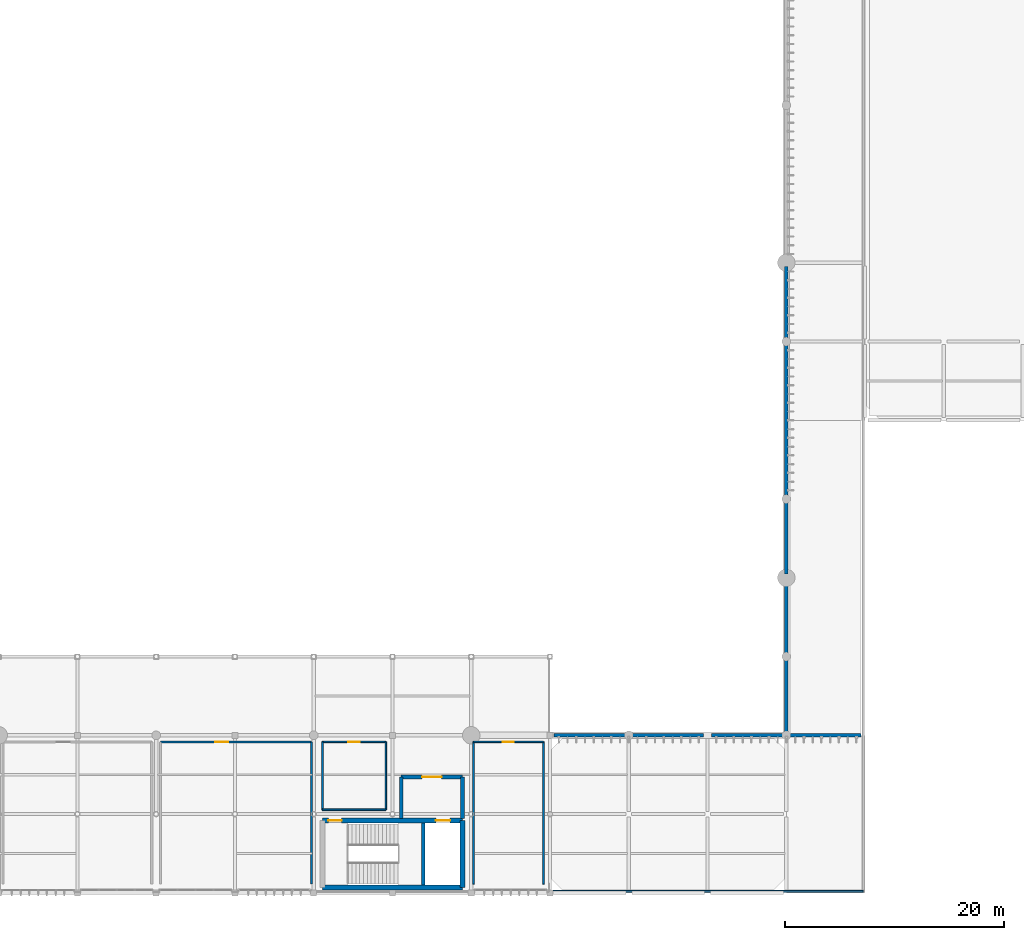
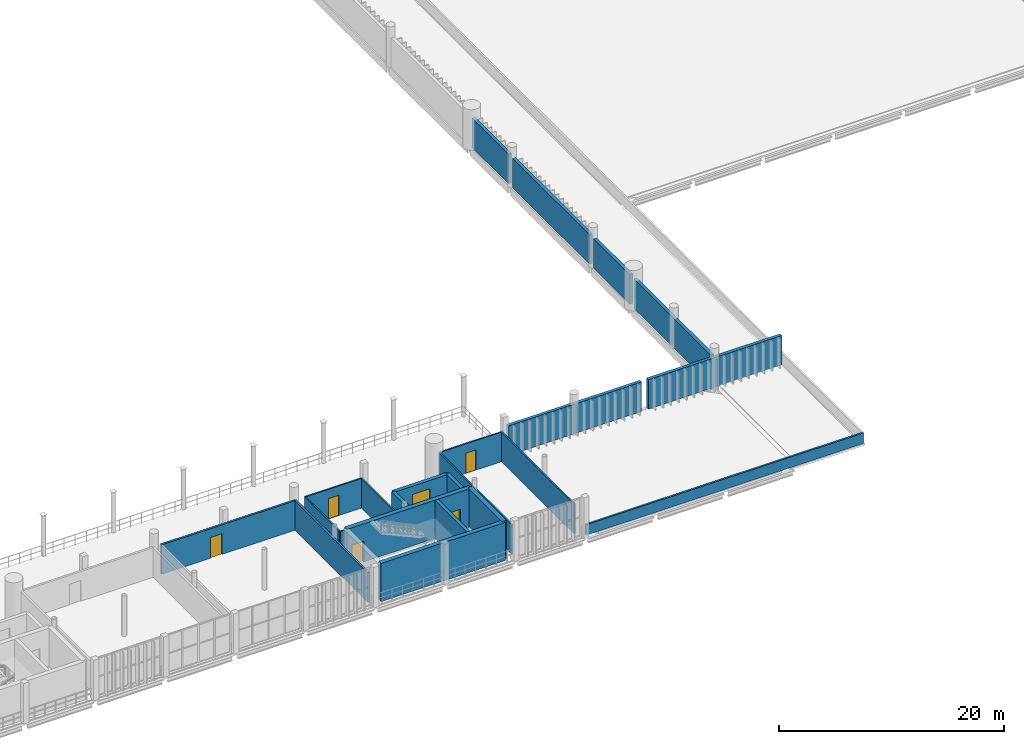
# One storey, part 58 of 81: 23 walls, 6 doors, 6 openings.
"""IFC4 building model written with IfcOpenShell, lengths in metres."""

from ifc_helpers import new_model, si_unit, direction, frame, frame_2d, origin, place, context, subcontext, project, spatial, rectangle, extrude, material, layer, layer_set, type_object, element, fill, save


model = new_model("IFC4")

# Units and contexts
model_context = context("Model", 3, precision=1e-05, world=origin(), true_north=direction((0.0, 1.0)))
body_context = subcontext(model_context, "Body", "Model", "MODEL_VIEW")
ifc_project = project(units=[si_unit("LENGTHUNIT", "METRE"), si_unit("AREAUNIT", "SQUARE_METRE"), si_unit("VOLUMEUNIT", "CUBIC_METRE"), si_unit("PLANEANGLEUNIT", "RADIAN"), si_unit("MASSUNIT", "GRAM", prefix="KILO")], contexts=[model_context])

# Site, building, storey
site_placement = place(None, origin())
site = spatial("IfcSite", under=ifc_project, at=site_placement, CompositionType="ELEMENT")
building_placement = place(site_placement, origin())
building = spatial("IfcBuilding", under=site, at=building_placement, Name="Qandorah Velis Arena", CompositionType="ELEMENT")
storey_placement = place(building_placement, frame((0.0, 0.0, 18.60009765625)))
storey = spatial("IfcBuildingStorey", under=building, at=storey_placement, Name="L04", CompositionType="ELEMENT", Elevation=18.60009765625)

# Walls
ifc_material_1 = material(Name="Precast concrete C40/50", Category="concrete")
ifc_layer_1 = layer(ifc_material_1, 0.320068359375)
ifc_layer_set_1 = layer_set([ifc_layer_1], Name="Precast concrete C40/50")
wall_type_1 = type_object("IfcWallType", Name="ARC-WAL-BOWL320", PredefinedType="SOLIDWALL", material=ifc_layer_set_1)
wall_1_placement = place(storey_placement, frame((115.199951171875, 14.75, 0.0), z_axis=(0.0, 0.0, 1.0), x_axis=(0.0, 1.0, 0.0)))
element("IfcWall", 1, at=wall_1_placement, inside=storey, type_object=wall_type_1, Name="Arena bowl acoustic drum wall 2.1 (L04)", PredefinedType="SOLIDWALL", context=body_context, shape_type="SweptSolid", body=[
    extrude(rectangle(XDim=13.699951171875, YDim=0.320068359375, at=frame_2d((6.85009765625, 0.0))), origin(), (0.0, 0.0, 1.0), 3.2099609375),
])
wall_2_placement = place(storey_placement, frame((115.199951171875, 29.14990234375, 0.0), z_axis=(0.0, 0.0, 1.0), x_axis=(0.0, 1.0, 0.0)))
element("IfcWall", 2, at=wall_2_placement, inside=storey, type_object=wall_type_1, Name="Arena bowl acoustic drum wall 2.2 (L04)", PredefinedType="SOLIDWALL", context=body_context, shape_type="SweptSolid", body=[
    extrude(rectangle(XDim=6.5, YDim=0.320068359375, at=frame_2d((3.25, 0.0))), origin(), (0.0, 0.0, 1.0), 3.2099609375),
])
wall_3_placement = place(storey_placement, frame((115.199951171875, 36.35009765625, 0.0), z_axis=(0.0, 0.0, 1.0), x_axis=(0.0, 1.0, 0.0)))
element("IfcWall", 3, at=wall_3_placement, inside=storey, type_object=wall_type_1, Name="Arena bowl acoustic drum wall 2.3 (L04)", PredefinedType="SOLIDWALL", context=body_context, shape_type="SweptSolid", body=[
    extrude(rectangle(XDim=13.699951171875, YDim=0.320068359375, at=frame_2d((6.85009765625, 0.0))), origin(), (0.0, 0.0, 1.0), 3.2099609375),
])
wall_4_placement = place(storey_placement, frame((115.199951171875, 50.75, 0.0), z_axis=(0.0, 0.0, 1.0), x_axis=(0.0, 1.0, 0.0)))
element("IfcWall", 4, at=wall_4_placement, inside=storey, type_object=wall_type_1, Name="Arena bowl acoustic drum wall 2.4 (L04)", PredefinedType="SOLIDWALL", context=body_context, shape_type="SweptSolid", body=[
    extrude(rectangle(XDim=6.5, YDim=0.320068359375, at=frame_2d((3.25, 0.0))), origin(), (0.0, 0.0, 1.0), 3.2099609375),
])
for number, where, z_axis, x_axis, name in (
    (5, (93.949951171875, 14.39990234375, 0.0), (0.0, 0.0, 1.0), (1.0, 0.0, 0.0), "Arena bowl acoustic drum wall 3.1 (L04)"),
    (6, (108.35009765625, 14.39990234375, 0.0), (0.0, 0.0, 1.0), (1.0, 0.0, 0.0), "Arena bowl acoustic drum wall 3.2 (L04)"),
):
    element("IfcWall", number, at=place(storey_placement, frame(where, z_axis=z_axis, x_axis=x_axis)), inside=storey, type_object=wall_type_1, Name=name, PredefinedType="SOLIDWALL", context=body_context, shape_type="SweptSolid", body=[
        extrude(rectangle(XDim=13.699951171875, YDim=0.320068359375, at=frame_2d((6.85009765625, 0.0))), origin(), (0.0, 0.0, 1.0), 3.2099609375),
    ])
ifc_material_2 = material(Name="Concrete C35/45", Category="concrete")
ifc_layer_2 = layer(ifc_material_2, 0.199951171875)
ifc_layer_set_2 = layer_set([ifc_layer_2], Name="Concrete C35/45")
wall_type_2 = type_object("IfcWallType", Name="ARC-WAL-FD60-200", PredefinedType="PARTITIONING", material=ifc_layer_set_2)
wall_5_placement = place(storey_placement, frame((71.800048828125, 0.800048828125, 0.0), z_axis=(0.0, 0.0, 1.0), x_axis=(0.0, 1.0, 0.0)))
element("IfcWall", 7, at=wall_5_placement, inside=storey, type_object=wall_type_2, Name="Interior partition L04-TV-ST2 (E)", PredefinedType="PARTITIONING", context=body_context, shape_type="SweptSolid", body=[
    extrude(rectangle(XDim=13.0, YDim=0.199951171875, at=frame_2d((6.5, 0.0))), origin(), (0.0, 0.0, 1.0), 3.2099609375),
])

# Wall, opening, door
wall_6_placement = place(storey_placement, frame((71.800048828125, 13.800048828125, 0.0), z_axis=(0.0, 0.0, 1.0), x_axis=(-1.0, 0.0, 0.0)))
wall_6 = element("IfcWall", 8, at=wall_6_placement, inside=storey, type_object=wall_type_2, Name="Interior partition L04-TV-ST2 (N)", PredefinedType="PARTITIONING", context=body_context, shape_type="SweptSolid", body=[
    extrude(rectangle(XDim=13.800048828125, YDim=0.199951171875, at=frame_2d((6.89990234375, 0.0))), origin(), (0.0, 0.0, 1.0), 3.2099609375),
])
opening_1_placement = place(wall_6_placement, frame((7.60009765625, 0.0, 0.0)))
opening_1 = element("IfcOpeningElement", 9, at=opening_1_placement, cuts=wall_6, Name="Opening FD2", PredefinedType="OPENING", context=body_context, shape_type="SweptSolid", body=[
    extrude(rectangle(XDim=1.199951171875, YDim=2.25, at=frame_2d((0.60009765625, 1.125))), frame((0.0, 0.10986328125, 0.0), z_axis=(0.0, -1.0, 0.0), x_axis=(1.0, 0.0, 0.0)), (0.0, 0.0, 1.0), 0.219970703125),
])
ifc_material_3 = material(Name="Insulated fire-rated single steel door", Category="steel")
door_type_1 = type_object("IfcDoorType", Name="ARC-DR-FD1200", OperationType="NOTDEFINED", PredefinedType="DOOR", material=ifc_material_3)
door_1_placement = place(opening_1_placement, frame((1.199951171875, 0.0, 0.0), z_axis=(0.0, 0.0, 1.0), x_axis=(-1.0, 0.0, 0.0)))
door_1 = element("IfcDoor", 10, at=door_1_placement, inside=storey, type_object=door_type_1, Name="Door L04-TV-ST2", OperationType="SINGLE_SWING_RIGHT", OverallHeight=2.25, OverallWidth=1.199951171875, PredefinedType="DOOR", context=body_context, shape_type="SweptSolid", body=[
    extrude(rectangle(XDim=1.199951171875, YDim=2.25, at=frame_2d((0.60009765625, 1.125))), frame((0.0, 0.02490234375, 0.0), z_axis=(0.0, -1.0, 0.0), x_axis=(1.0, 0.0, 0.0)), (0.0, 0.0, 1.0), 0.050048828125),
])
fill(opening_1, door_1)

# Walls
ifc_layer_3 = layer(ifc_material_1, 0.179931640625)
ifc_layer_set_3 = layer_set([ifc_layer_3], Name="Precast concrete C40/50")
wall_type_3 = type_object("IfcWallType", Name="ARC-WAL-PAR180", PredefinedType="PARAPET", material=ifc_layer_set_3)
wall_7_placement = place(storey_placement, frame((93.75, 0.14990234375, 0.0), z_axis=(0.0, 0.0, 1.0), x_axis=(1.0, 0.0, 0.0)))
element("IfcWall", 11, at=wall_7_placement, inside=storey, type_object=wall_type_3, Name="Roof perimeter parapet wall PW-12", PredefinedType="PARAPET", context=body_context, shape_type="SweptSolid", body=[
    extrude(rectangle(XDim=28.5, YDim=0.179931640625, at=frame_2d((14.25, 0.0))), origin(), (0.0, 0.0, 1.0), 1.14990234375),
])
ifc_layer_4 = layer(ifc_material_2, 0.14990234375)
ifc_layer_set_4 = layer_set([ifc_layer_4], Name="Concrete C35/45")
wall_type_4 = type_object("IfcWallType", Name="ARC-WAL-PART150", PredefinedType="PARTITIONING", material=ifc_layer_set_4)
wall_8_placement = place(storey_placement, frame((93.0, 0.800048828125, 0.0), z_axis=(0.0, 0.0, 1.0), x_axis=(0.0, 1.0, 0.0)))
element("IfcWall", 12, at=wall_8_placement, inside=storey, type_object=wall_type_4, Name="Interior partition L04-CMT-B1 (E)", PredefinedType="PARTITIONING", context=body_context, shape_type="SweptSolid", body=[
    extrude(rectangle(XDim=13.0, YDim=0.14990234375, at=frame_2d((6.5, 0.0))), origin(), (0.0, 0.0, 1.0), 3.2099609375),
])

# Wall, opening, door
wall_9_placement = place(storey_placement, frame((93.0, 13.800048828125, 0.0), z_axis=(0.0, 0.0, 1.0), x_axis=(-1.0, 0.0, 0.0)))
wall_9 = element("IfcWall", 13, at=wall_9_placement, inside=storey, type_object=wall_type_4, Name="Interior partition L04-CMT-B1 (N)", PredefinedType="PARTITIONING", context=body_context, shape_type="SweptSolid", body=[
    extrude(rectangle(XDim=6.39990234375, YDim=0.14990234375, at=frame_2d((3.199951171875, 0.0))), origin(), (0.0, 0.0, 1.0), 3.2099609375),
])
opening_2_placement = place(wall_9_placement, frame((2.699951171875, 0.0, 0.0)))
opening_2 = element("IfcOpeningElement", 14, at=opening_2_placement, cuts=wall_9, Name="Opening D1", PredefinedType="OPENING", context=body_context, shape_type="SweptSolid", body=[
    extrude(rectangle(XDim=1.0, YDim=2.199951171875, at=frame_2d((0.5, 1.10009765625))), frame((0.0, 0.0849609375, 0.0), z_axis=(0.0, -1.0, 0.0), x_axis=(1.0, 0.0, 0.0)), (0.0, 0.0, 1.0), 0.169921875),
])
ifc_material_4 = material(Name="Solid-core hardwood veneer door", Category="wood")
door_type_2 = type_object("IfcDoorType", Name="ARC-DR-INT1000", OperationType="NOTDEFINED", PredefinedType="DOOR", material=ifc_material_4)
door_2_placement = place(opening_2_placement, origin())
door_2 = element("IfcDoor", 15, at=door_2_placement, inside=storey, type_object=door_type_2, Name="Door L04-CMT-B1", OperationType="SINGLE_SWING_LEFT", OverallHeight=2.199951171875, OverallWidth=1.0, PredefinedType="DOOR", context=body_context, shape_type="SweptSolid", body=[
    extrude(rectangle(XDim=1.0, YDim=2.199951171875, at=frame_2d((0.5, 1.10009765625))), frame((0.0, 0.02490234375, 0.0), z_axis=(0.0, -1.0, 0.0), x_axis=(1.0, 0.0, 0.0)), (0.0, 0.0, 1.0), 0.050048828125),
])
fill(opening_2, door_2)

# Walls
wall_10_placement = place(storey_placement, frame((86.60009765625, 13.800048828125, 0.0), z_axis=(0.0, 0.0, 1.0), x_axis=(0.0, -1.0, 0.0)))
element("IfcWall", 16, at=wall_10_placement, inside=storey, type_object=wall_type_4, Name="Interior partition L04-CMT-B1 (W)", PredefinedType="PARTITIONING", context=body_context, shape_type="SweptSolid", body=[
    extrude(rectangle(XDim=13.0, YDim=0.14990234375, at=frame_2d((6.5, 0.0))), origin(), (0.0, 0.0, 1.0), 3.2099609375),
])
wall_11_placement = place(storey_placement, frame((72.800048828125, 7.60009765625, 0.0), z_axis=(0.0, 0.0, 1.0), x_axis=(1.0, 0.0, 0.0)))
element("IfcWall", 17, at=wall_11_placement, inside=storey, type_object=wall_type_4, Name="Interior partition L04-L04-AWC (S)", PredefinedType="PARTITIONING", context=body_context, shape_type="SweptSolid", body=[
    extrude(rectangle(XDim=5.800048828125, YDim=0.14990234375, at=frame_2d((2.89990234375, 0.0))), origin(), (0.0, 0.0, 1.0), 3.2099609375),
])
wall_12_placement = place(storey_placement, frame((78.60009765625, 7.60009765625, 0.0), z_axis=(0.0, 0.0, 1.0), x_axis=(0.0, 1.0, 0.0)))
element("IfcWall", 18, at=wall_12_placement, inside=storey, type_object=wall_type_4, Name="Interior partition L04-L04-AWC (E)", PredefinedType="PARTITIONING", context=body_context, shape_type="SweptSolid", body=[
    extrude(rectangle(XDim=6.199951171875, YDim=0.14990234375, at=frame_2d((3.10009765625, 0.0))), origin(), (0.0, 0.0, 1.0), 3.2099609375),
])

# Wall, opening, door
wall_13_placement = place(storey_placement, frame((78.60009765625, 13.800048828125, 0.0), z_axis=(0.0, 0.0, 1.0), x_axis=(-1.0, 0.0, 0.0)))
wall_13 = element("IfcWall", 19, at=wall_13_placement, inside=storey, type_object=wall_type_4, Name="Interior partition L04-L04-AWC (N)", PredefinedType="PARTITIONING", context=body_context, shape_type="SweptSolid", body=[
    extrude(rectangle(XDim=5.800048828125, YDim=0.14990234375, at=frame_2d((2.89990234375, 0.0))), origin(), (0.0, 0.0, 1.0), 3.2099609375),
])
opening_3_placement = place(wall_13_placement, frame((2.375, 0.0, 0.0)))
opening_3 = element("IfcOpeningElement", 20, at=opening_3_placement, cuts=wall_13, Name="Opening D6", PredefinedType="OPENING", context=body_context, shape_type="SweptSolid", body=[
    extrude(rectangle(XDim=1.050048828125, YDim=2.199951171875, at=frame_2d((0.52490234375, 1.10009765625))), frame((0.0, 0.0849609375, 0.0), z_axis=(0.0, -1.0, 0.0), x_axis=(1.0, 0.0, 0.0)), (0.0, 0.0, 1.0), 0.169921875),
])
ifc_material_5 = material(Name="Accessible wide-leaf lever-handle door")
door_type_3 = type_object("IfcDoorType", Name="ARC-DR-ACC1050", OperationType="NOTDEFINED", PredefinedType="DOOR", material=ifc_material_5)
door_3_placement = place(opening_3_placement, origin())
door_3 = element("IfcDoor", 21, at=door_3_placement, inside=storey, type_object=door_type_3, Name="Door L04-L04-AWC", OperationType="SINGLE_SWING_LEFT", OverallHeight=2.199951171875, OverallWidth=1.050048828125, PredefinedType="DOOR", context=body_context, shape_type="SweptSolid", body=[
    extrude(rectangle(XDim=1.050048828125, YDim=2.199951171875, at=frame_2d((0.52490234375, 1.10009765625))), frame((0.0, 0.02490234375, 0.0), z_axis=(0.0, -1.0, 0.0), x_axis=(1.0, 0.0, 0.0)), (0.0, 0.0, 1.0), 0.050048828125),
])
fill(opening_3, door_3)

# Walls
wall_14_placement = place(storey_placement, frame((72.800048828125, 13.800048828125, 0.0), z_axis=(0.0, 0.0, 1.0), x_axis=(0.0, -1.0, 0.0)))
element("IfcWall", 22, at=wall_14_placement, inside=storey, type_object=wall_type_4, Name="Interior partition L04-L04-AWC (W)", PredefinedType="PARTITIONING", context=body_context, shape_type="SweptSolid", body=[
    extrude(rectangle(XDim=6.199951171875, YDim=0.14990234375, at=frame_2d((3.10009765625, 0.0))), origin(), (0.0, 0.0, 1.0), 3.2099609375),
])
ifc_material_6 = material(Name="Concrete C40/50", Category="concrete")
ifc_layer_5 = layer(ifc_material_6, 0.449951171875)
ifc_layer_set_5 = layer_set([ifc_layer_5], Name="Concrete C40/50")
wall_type_5 = type_object("IfcWallType", Name="STR-WAL-CORE450", PredefinedType="SHEAR", material=ifc_layer_set_5)
wall_15_placement = place(storey_placement, frame((72.800048828125, 0.5, 0.0), z_axis=(0.0, 0.0, 1.0), x_axis=(1.0, 0.0, 0.0)))
element("IfcWall", 23, at=wall_15_placement, inside=storey, type_object=wall_type_5, Name="Core CORE-02 shear wall S (L04)", PredefinedType="SHEAR", context=body_context, shape_type="SweptSolid", body=[
    extrude(rectangle(XDim=12.800048828125, YDim=0.449951171875, at=frame_2d((6.39990234375, 0.0))), origin(), (0.0, 0.0, 1.0), 4.14990234375),
])

# Wall, openings, doors
wall_16_placement = place(storey_placement, frame((72.800048828125, 6.60009765625, 0.0), z_axis=(0.0, 0.0, 1.0), x_axis=(1.0, 0.0, 0.0)))
wall_16 = element("IfcWall", 24, at=wall_16_placement, inside=storey, type_object=wall_type_5, Name="Core CORE-02 shear wall N (L04)", PredefinedType="SHEAR", context=body_context, shape_type="SweptSolid", body=[
    extrude(rectangle(XDim=12.800048828125, YDim=0.449951171875, at=frame_2d((6.39990234375, 0.0))), origin(), (0.0, 0.0, 1.0), 4.14990234375),
])
opening_4_placement = place(wall_16_placement, frame((0.550048828125, 0.0, 0.0)))
opening_4 = element("IfcOpeningElement", 25, at=opening_4_placement, cuts=wall_16, Name="Opening SD1", PredefinedType="OPENING", context=body_context, shape_type="SweptSolid", body=[
    extrude(rectangle(XDim=1.199951171875, YDim=2.25, at=frame_2d((0.60009765625, 1.125))), frame((0.0, 0.23486328125, 0.0), z_axis=(0.0, -1.0, 0.0), x_axis=(1.0, 0.0, 0.0)), (0.0, 0.0, 1.0), 0.469970703125),
])
opening_5_placement = place(wall_16_placement, frame((10.35791015625, 0.0, 0.0)))
opening_5 = element("IfcOpeningElement", 26, at=opening_5_placement, cuts=wall_16, Name="Opening LD2", PredefinedType="OPENING", context=body_context, shape_type="SweptSolid", body=[
    extrude(rectangle(XDim=1.300048828125, YDim=2.25, at=frame_2d((0.64990234375, 1.125))), frame((0.0, 0.23486328125, 0.0), z_axis=(0.0, -1.0, 0.0), x_axis=(1.0, 0.0, 0.0)), (0.0, 0.0, 1.0), 0.469970703125),
])
ifc_material_7 = material(Name="Firefighting stainless sliding lift landing door", Category="steel")
door_type_4 = type_object("IfcDoorType", Name="ARC-DR-LD1300", OperationType="NOTDEFINED", PredefinedType="DOOR", material=ifc_material_7)
door_4_placement = place(opening_5_placement, origin())
door_4 = element("IfcDoor", 27, at=door_4_placement, inside=storey, type_object=door_type_4, Name="Lift FL2 sliding landing door (L04)", OperationType="SLIDING_TO_RIGHT", OverallHeight=2.25, OverallWidth=1.300048828125, PredefinedType="DOOR", context=body_context, shape_type="SweptSolid", body=[
    extrude(rectangle(XDim=1.300048828125, YDim=2.25, at=frame_2d((0.64990234375, 1.125))), frame((0.0, 0.02490234375, 0.0), z_axis=(0.0, -1.0, 0.0), x_axis=(1.0, 0.0, 0.0)), (0.0, 0.0, 1.0), 0.050048828125),
])
fill(opening_5, door_4)
ifc_material_8 = material(Name="Self-closing fire-rated stair steel door", Category="steel")
door_type_5 = type_object("IfcDoorType", Name="ARC-DR-ST1200", OperationType="NOTDEFINED", PredefinedType="DOOR", material=ifc_material_8)
door_5_placement = place(opening_4_placement, frame((1.199951171875, 0.0, 0.0), z_axis=(0.0, 0.0, 1.0), x_axis=(-1.0, 0.0, 0.0)))
door_5 = element("IfcDoor", 28, at=door_5_placement, inside=storey, type_object=door_type_5, Name="Stair ST2 fire door (L04)", OperationType="SINGLE_SWING_RIGHT", OverallHeight=2.25, OverallWidth=1.199951171875, PredefinedType="DOOR", context=body_context, shape_type="SweptSolid", body=[
    extrude(rectangle(XDim=1.199951171875, YDim=2.25, at=frame_2d((0.60009765625, 1.125))), frame((0.0, 0.02490234375, 0.0), z_axis=(0.0, -1.0, 0.0), x_axis=(1.0, 0.0, 0.0)), (0.0, 0.0, 1.0), 0.050048828125),
])
fill(opening_4, door_5)

# Walls
wall_17_placement = place(storey_placement, frame((85.60009765625, 0.5, 0.0), z_axis=(0.0, 0.0, 1.0), x_axis=(0.0, 1.0, 0.0)))
element("IfcWall", 29, at=wall_17_placement, inside=storey, type_object=wall_type_5, Name="Core CORE-02 shear wall E (L04)", PredefinedType="SHEAR", context=body_context, shape_type="SweptSolid", body=[
    extrude(rectangle(XDim=6.10009765625, YDim=0.449951171875, at=frame_2d((3.050048828125, 0.0))), origin(), (0.0, 0.0, 1.0), 4.14990234375),
])
ifc_layer_6 = layer(ifc_material_6, 0.35009765625)
ifc_layer_set_6 = layer_set([ifc_layer_6], Name="Concrete C40/50")
wall_type_6 = type_object("IfcWallType", Name="STR-WAL-SH350", PredefinedType="SHEAR", material=ifc_layer_set_6)
wall_18_placement = place(storey_placement, frame((82.01611328125, 0.72509765625, 0.0), z_axis=(0.0, 0.0, 1.0), x_axis=(0.0, 1.0, 0.0)))
element("IfcWall", 30, at=wall_18_placement, inside=storey, type_object=wall_type_6, Name="Core CORE-02 shaft divider shear wall (L04)", PredefinedType="SHEAR", context=body_context, shape_type="SweptSolid", body=[
    extrude(rectangle(XDim=5.64990234375, YDim=0.35009765625, at=frame_2d((2.824951171875, 0.0))), origin(), (0.0, 0.0, 1.0), 4.14990234375),
])
wall_19_placement = place(storey_placement, frame((85.60009765625, 6.800048828125, 0.0), z_axis=(0.0, 0.0, 1.0), x_axis=(0.0, 1.0, 0.0)))
element("IfcWall", 31, at=wall_19_placement, inside=storey, type_object=wall_type_6, Name="Interior partition FFL-FL2-L04 (E)", PredefinedType="SHEAR", context=body_context, shape_type="SweptSolid", body=[
    extrude(rectangle(XDim=3.800048828125, YDim=0.35009765625, at=frame_2d((1.89990234375, 0.0))), origin(), (0.0, 0.0, 1.0), 3.2099609375),
])

# Wall, opening, door
wall_20_placement = place(storey_placement, frame((85.60009765625, 10.60009765625, 0.0), z_axis=(0.0, 0.0, 1.0), x_axis=(-1.0, 0.0, 0.0)))
wall_20 = element("IfcWall", 32, at=wall_20_placement, inside=storey, type_object=wall_type_6, Name="Interior partition FFL-FL2-L04 (N)", PredefinedType="SHEAR", context=body_context, shape_type="SweptSolid", body=[
    extrude(rectangle(XDim=5.60009765625, YDim=0.35009765625, at=frame_2d((2.800048828125, 0.0))), origin(), (0.0, 0.0, 1.0), 3.2099609375),
])
opening_6_placement = place(wall_20_placement, frame((1.89990234375, 0.0, 0.0)))
opening_6 = element("IfcOpeningElement", 33, at=opening_6_placement, cuts=wall_20, Name="Opening FD1", PredefinedType="OPENING", context=body_context, shape_type="SweptSolid", body=[
    extrude(rectangle(XDim=1.800048828125, YDim=2.300048828125, at=frame_2d((0.89990234375, 1.14990234375))), frame((0.0, 0.18505859375, 0.0), z_axis=(0.0, -1.0, 0.0), x_axis=(1.0, 0.0, 0.0)), (0.0, 0.0, 1.0), 0.3701171875),
])
ifc_material_9 = material(Name="Insulated fire-rated double steel door", Category="steel")
door_type_6 = type_object("IfcDoorType", Name="ARC-DR-FD1800", OperationType="NOTDEFINED", PredefinedType="DOOR", material=ifc_material_9)
door_6_placement = place(opening_6_placement, frame((1.800048828125, 0.0, 0.0), z_axis=(0.0, 0.0, 1.0), x_axis=(-1.0, 0.0, 0.0)))
door_6 = element("IfcDoor", 34, at=door_6_placement, inside=storey, type_object=door_type_6, Name="Door FFL-FL2-L04", OperationType="DOUBLE_DOOR_SINGLE_SWING", OverallHeight=2.300048828125, OverallWidth=1.800048828125, PredefinedType="DOOR", context=body_context, shape_type="SweptSolid", body=[
    extrude(rectangle(XDim=1.800048828125, YDim=2.300048828125, at=frame_2d((0.89990234375, 1.14990234375))), frame((0.0, 0.02490234375, 0.0), z_axis=(0.0, -1.0, 0.0), x_axis=(1.0, 0.0, 0.0)), (0.0, 0.0, 1.0), 0.050048828125),
])
fill(opening_6, door_6)

# Wall
wall_21_placement = place(storey_placement, frame((80.0, 10.60009765625, 0.0), z_axis=(0.0, 0.0, 1.0), x_axis=(0.0, -1.0, 0.0)))
element("IfcWall", 35, at=wall_21_placement, inside=storey, type_object=wall_type_6, Name="Interior partition FFL-FL2-L04 (W)", PredefinedType="SHEAR", context=body_context, shape_type="SweptSolid", body=[
    extrude(rectangle(XDim=3.800048828125, YDim=0.35009765625, at=frame_2d((1.89990234375, 0.0))), origin(), (0.0, 0.0, 1.0), 3.2099609375),
])

save(model, "model.ifc")
